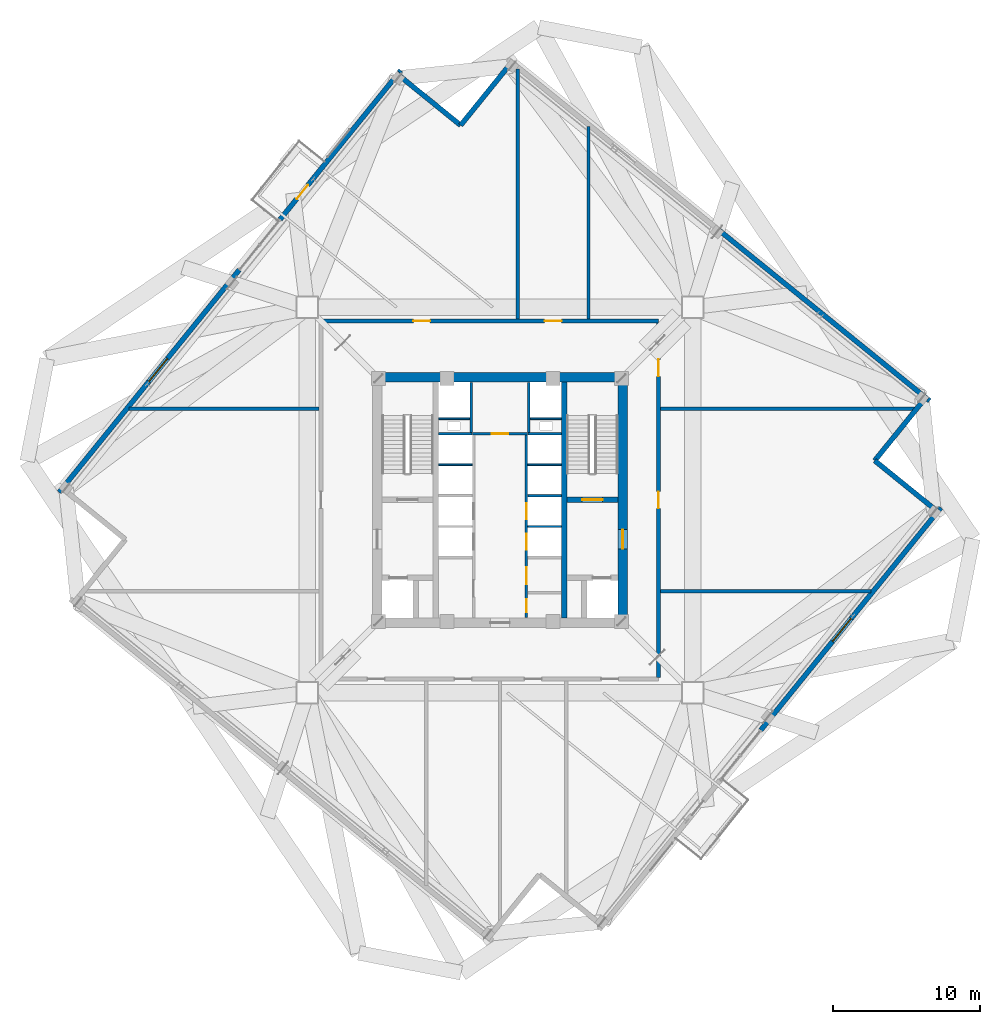
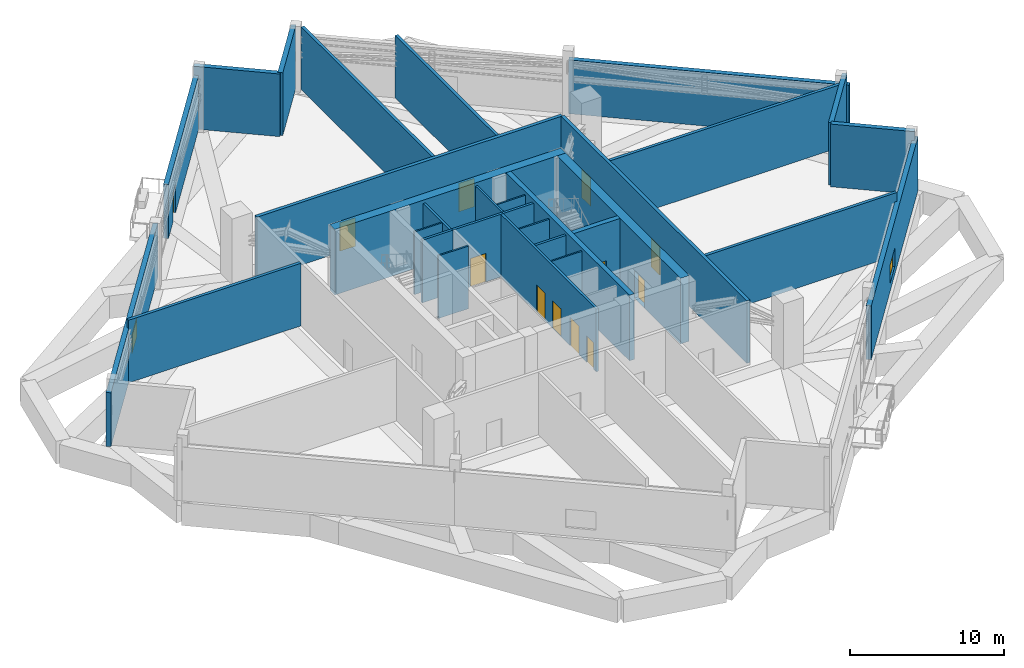
# One storey, part 18 of 22: 31 walls, 12 doors, 2 windows, 14 openings.
"""IFC4 building model written with IfcOpenShell, lengths in metres."""

from ifc_helpers import new_model, si_unit, direction, frame, frame_2d, origin, place, context, subcontext, project, spatial, rectangle, extrude, source, transform, mapped, material, layer, layer_set, type_object, element, fill, save


model = new_model("IFC4")

# Units and contexts
model_context = context("Model", 3, precision=1e-05, world=origin(), true_north=direction((0.0, 1.0)))
body_context = subcontext(model_context, "Body", "Model", "MODEL_VIEW")
ifc_project = project(units=[si_unit("LENGTHUNIT", "METRE"), si_unit("AREAUNIT", "SQUARE_METRE"), si_unit("VOLUMEUNIT", "CUBIC_METRE"), si_unit("PLANEANGLEUNIT", "RADIAN"), si_unit("MASSUNIT", "GRAM", prefix="KILO"), si_unit("THERMODYNAMICTEMPERATUREUNIT", "KELVIN")], contexts=[model_context])

# Site, building, storey
site_placement = place(None, origin())
site = spatial("IfcSite", under=ifc_project, at=site_placement, CompositionType="ELEMENT")
building_placement = place(site_placement, origin())
building = spatial("IfcBuilding", under=site, at=building_placement, Name="Kosmvard Interchange Tower", CompositionType="ELEMENT")
storey_placement = place(building_placement, frame((0.0, 0.0, 200.39990234375)))
storey = spatial("IfcBuildingStorey", under=building, at=storey_placement, Name="L48", CompositionType="ELEMENT", Elevation=200.39990234375)

# Walls
ifc_material_1 = material(Name="Fire-rated gypsum partition system")
ifc_layer_1 = layer(ifc_material_1, 0.159912109375, Name="Fire-rated gypsum partition system")
ifc_layer_set_1 = layer_set([ifc_layer_1], Name="Fire-rated gypsum partition system")
wall_type_1 = type_object("IfcWallType", Name="Core Compartment & Shuttle Lobby Partition 160", PredefinedType="PARTITIONING", material=ifc_layer_set_1)
for number, where, z_axis, x_axis, name in (
    (1, (-1.9599609375, 4.580078125, 0.0), (0.0, 0.0, 1.0), (0.0, 1.0, 0.0), "L48 North Core West Wall"),
    (2, (1.9599609375, 4.580078125, 0.0), (0.0, 0.0, 1.0), (0.0, 1.0, 0.0), "L48 North Core East Wall"),
):
    element("IfcWall", number, at=place(storey_placement, frame(where, z_axis=z_axis, x_axis=x_axis)), inside=storey, type_object=wall_type_1, Name=name, PredefinedType="PARTITIONING", context=body_context, shape_type="SweptSolid", body=[
        extrude(rectangle(XDim=3.39990234375, YDim=0.159912109375, at=frame_2d((1.699951171875, 0.0))), origin(), (0.0, 0.0, 1.0), 4.960205078125),
    ])

# Wall, openings, doors
ifc_layer_2 = layer(ifc_material_1, 0.179931640625, Name="Fire-rated gypsum partition system")
ifc_layer_set_2 = layer_set([ifc_layer_2], Name="Fire-rated gypsum partition system")
wall_type_2 = type_object("IfcWallType", Name="Corridor & Hotel Compartment Partition 180", PredefinedType="PARTITIONING", material=ifc_layer_set_2)
wall_1_placement = place(storey_placement, frame((1.7900390625, -7.97998046875, 0.0), z_axis=(0.0, 0.0, 1.0), x_axis=(0.0, 1.0, 0.0)))
wall_1 = element("IfcWall", 3, at=wall_1_placement, inside=storey, type_object=wall_type_2, Name="L48 East Lift Bank Front Wall", PredefinedType="PARTITIONING", context=body_context, shape_type="SweptSolid", body=[
    extrude(rectangle(XDim=12.3798828125, YDim=0.179931640625, at=frame_2d((6.18994140625, 0.0))), origin(), (0.0, 0.0, 1.0), 4.960205078125),
])
opening_1_placement = place(wall_1_placement, frame((4.60009765625, 0.0, 0.0)))
opening_1 = element("IfcOpeningElement", 4, at=opening_1_placement, cuts=wall_1, Name="Opening LD-PL-M3-L48", PredefinedType="OPENING", context=body_context, shape_type="SweptSolid", body=[
    extrude(rectangle(XDim=1.10009765625, YDim=2.199951171875, at=frame_2d((0.550048828125, 1.10009765625))), frame((0.0, 0.10009765625, 0.0), z_axis=(0.0, -1.0, 0.0), x_axis=(1.0, 0.0, 0.0)), (0.0, 0.0, 1.0), 0.199951171875),
])
opening_2_placement = place(wall_1_placement, frame((6.659912109375, 0.0, 0.0)))
opening_2 = element("IfcOpeningElement", 5, at=opening_2_placement, cuts=wall_1, Name="Opening LD-PL-M4-L48", PredefinedType="OPENING", context=body_context, shape_type="SweptSolid", body=[
    extrude(rectangle(XDim=1.10009765625, YDim=2.199951171875, at=frame_2d((0.550048828125, 1.10009765625))), frame((0.0, 0.10009765625, 0.0), z_axis=(0.0, -1.0, 0.0), x_axis=(1.0, 0.0, 0.0)), (0.0, 0.0, 1.0), 0.199951171875),
])
opening_3_placement = place(wall_1_placement, frame((0.35009765625, 0.0, 0.0)))
opening_3 = element("IfcOpeningElement", 6, at=opening_3_placement, cuts=wall_1, Name="Opening L48-CD2", PredefinedType="OPENING", context=body_context, shape_type="SweptSolid", body=[
    extrude(rectangle(XDim=0.8798828125, YDim=2.10009765625, at=frame_2d((0.43994140625, 1.050048828125))), frame((0.0, 0.10009765625, 0.0), z_axis=(0.0, -1.0, 0.0), x_axis=(1.0, 0.0, 0.0)), (0.0, 0.0, 1.0), 0.199951171875),
])
opening_4_placement = place(wall_1_placement, frame((2.25, 0.0, 0.0)))
opening_4 = element("IfcOpeningElement", 7, at=opening_4_placement, cuts=wall_1, Name="Opening L48-CD3", PredefinedType="OPENING", context=body_context, shape_type="SweptSolid", body=[
    extrude(rectangle(XDim=1.14990234375, YDim=2.25, at=frame_2d((0.574951171875, 1.125))), frame((0.0, 0.10009765625, 0.0), z_axis=(0.0, -1.0, 0.0), x_axis=(1.0, 0.0, 0.0)), (0.0, 0.0, 1.0), 0.199951171875),
])
ifc_material_2 = material(Name="Painted fire-rated steel leaf", Category="steel")
door_type_1 = type_object("IfcDoorType", Name="Plant & Riser Fire Door 1150x2250 EI60", OperationType="NOTDEFINED", PredefinedType="DOOR", material=ifc_material_2)
shared_shape_1 = source(origin(), body_context, "Body", "SweptSolid", [
    extrude(rectangle(XDim=1.14990234375, YDim=2.25, at=frame_2d((0.574951171875, 1.125))), frame((0.0, 0.02490234375, 0.0), z_axis=(0.0, -1.0, 0.0), x_axis=(1.0, 0.0, 0.0)), (0.0, 0.0, 1.0), 0.050048828125),
])
door_1_placement = place(opening_4_placement, frame((1.14990234375, 0.0, 0.0), z_axis=(0.0, 0.0, 1.0), x_axis=(-1.0, 0.0, 0.0)))
door_1 = element("IfcDoor", 8, at=door_1_placement, inside=storey, type_object=door_type_1, Name="L48 Core Pantry Door", OperationType="SINGLE_SWING_LEFT", OverallHeight=2.25, OverallWidth=1.14990234375, PredefinedType="DOOR", context=body_context, shape_type="MappedRepresentation", body=[
    mapped(shared_shape_1, transform((0.0, 0.0, 0.0), scale=1.0)),
])
fill(opening_4, door_1)
ifc_material_3 = material(Name="Brushed stainless steel sliding leaf", Category="steel")
door_type_2 = type_object("IfcDoorType", Name="Passenger Lift Sliding Landing Door 1100x2200 EI60", OperationType="DOUBLE_DOOR_SLIDING", PredefinedType="DOOR", material=ifc_material_3)
shared_shape_2 = source(origin(), body_context, "Body", "SweptSolid", [
    extrude(rectangle(XDim=1.10009765625, YDim=2.199951171875, at=frame_2d((0.550048828125, 1.10009765625))), frame((0.0, 0.02490234375, 0.0), z_axis=(0.0, -1.0, 0.0), x_axis=(1.0, 0.0, 0.0)), (0.0, 0.0, 1.0), 0.050048828125),
])
door_2_placement = place(opening_1_placement, origin())
door_2 = element("IfcDoor", 9, at=door_2_placement, inside=storey, type_object=door_type_2, Name="Lift PL-M3 Landing Door L48", OperationType="DOUBLE_DOOR_SLIDING", OverallHeight=2.199951171875, OverallWidth=1.10009765625, PredefinedType="DOOR", context=body_context, shape_type="MappedRepresentation", body=[
    mapped(shared_shape_2, transform((0.0, 0.0, 0.0), scale=1.0)),
])
fill(opening_1, door_2)
door_3_placement = place(opening_2_placement, origin())
door_3 = element("IfcDoor", 10, at=door_3_placement, inside=storey, type_object=door_type_2, Name="Lift PL-M4 Landing Door L48", OperationType="DOUBLE_DOOR_SLIDING", OverallHeight=2.199951171875, OverallWidth=1.10009765625, PredefinedType="DOOR", context=body_context, shape_type="MappedRepresentation", body=[
    mapped(shared_shape_2, transform((0.0, 0.0, 0.0), scale=1.0)),
])
fill(opening_2, door_3)
ifc_material_4 = material(Name="Painted fire-rated timber leaf", Category="wood")
door_type_3 = type_object("IfcDoorType", Name="Core Cupboard Fire Door 880x2100 EI30", OperationType="NOTDEFINED", PredefinedType="DOOR", material=ifc_material_4)
shared_shape_3 = source(origin(), body_context, "Body", "SweptSolid", [
    extrude(rectangle(XDim=0.8798828125, YDim=2.10009765625, at=frame_2d((0.43994140625, 1.050048828125))), frame((0.0, 0.02490234375, 0.0), z_axis=(0.0, -1.0, 0.0), x_axis=(1.0, 0.0, 0.0)), (0.0, 0.0, 1.0), 0.050048828125),
])
door_4_placement = place(opening_3_placement, frame((0.8798828125, 0.0, 0.0), z_axis=(0.0, 0.0, 1.0), x_axis=(-1.0, 0.0, 0.0)))
door_4 = element("IfcDoor", 11, at=door_4_placement, inside=storey, type_object=door_type_3, Name="L48 Core Cleaner Door", OperationType="SINGLE_SWING_RIGHT", OverallHeight=2.10009765625, OverallWidth=0.8798828125, PredefinedType="DOOR", context=body_context, shape_type="MappedRepresentation", body=[
    mapped(shared_shape_3, transform((0.0, 0.0, 0.0), scale=1.0)),
])
fill(opening_3, door_4)

# Wall, opening, door
wall_2_placement = place(storey_placement, frame((-1.8798828125, 4.489990234375, 0.0), z_axis=(0.0, 0.0, 1.0), x_axis=(1.0, 0.0, 0.0)))
wall_2 = element("IfcWall", 12, at=wall_2_placement, inside=storey, type_object=wall_type_2, Name="L48 Lift Lobby North Partition", PredefinedType="PARTITIONING", context=body_context, shape_type="SweptSolid", body=[
    extrude(rectangle(XDim=3.759765625, YDim=0.179931640625, at=frame_2d((1.8798828125, 0.0))), origin(), (0.0, 0.0, 1.0), 4.960205078125),
])
opening_5_placement = place(wall_2_placement, frame((1.304931640625, 0.0, 0.0)))
opening_5 = element("IfcOpeningElement", 13, at=opening_5_placement, cuts=wall_2, Name="Opening L48-KD1", PredefinedType="OPENING", context=body_context, shape_type="SweptSolid", body=[
    extrude(rectangle(XDim=1.14990234375, YDim=2.25, at=frame_2d((0.574951171875, 1.125))), frame((0.0, 0.10009765625, 0.0), z_axis=(0.0, -1.0, 0.0), x_axis=(1.0, 0.0, 0.0)), (0.0, 0.0, 1.0), 0.199951171875),
])
door_5_placement = place(opening_5_placement, origin())
door_5 = element("IfcDoor", 14, at=door_5_placement, inside=storey, type_object=door_type_1, Name="L48 Core IT Room Door", OperationType="SINGLE_SWING_LEFT", OverallHeight=2.25, OverallWidth=1.14990234375, PredefinedType="DOOR", context=body_context, shape_type="MappedRepresentation", body=[
    mapped(shared_shape_1, transform((0.0, 0.0, 0.0), scale=1.0)),
])
fill(opening_5, door_5)

# Wall, openings, doors
ifc_material_5 = material(Name="Concrete blockwork masonry", Category="masonry")
ifc_layer_3 = layer(ifc_material_5, 0.25, Name="Concrete blockwork masonry")
ifc_layer_set_3 = layer_set([ifc_layer_3], Name="Concrete blockwork masonry")
wall_type_3 = type_object("IfcWallType", Name="Exit Passage & Firefighting Lobby Wall 250", PredefinedType="PARTITIONING", material=ifc_layer_set_3)
wall_3_placement = place(storey_placement, frame((-12.14990234375, 12.14990234375, 0.0), z_axis=(0.0, 0.0, 1.0), x_axis=(1.0, 0.0, 0.0)))
wall_3 = element("IfcWall", 15, at=wall_3_placement, inside=storey, type_object=wall_type_3, Name="L48 Corridor Wall CN", PredefinedType="PARTITIONING", context=body_context, shape_type="SweptSolid", body=[
    extrude(rectangle(XDim=22.89990234375, YDim=0.25, at=frame_2d((11.449951171875, 0.0))), origin(), (0.0, 0.0, 1.0), 4.960205078125),
])
opening_6_placement = place(wall_3_placement, frame((6.264404296875, 0.0, 0.0)))
opening_6 = element("IfcOpeningElement", 16, at=opening_6_placement, cuts=wall_3, Name="Opening L48-D01", PredefinedType="OPENING", context=body_context, shape_type="SweptSolid", body=[
    extrude(rectangle(XDim=1.14990234375, YDim=2.25, at=frame_2d((0.574951171875, 1.125))), frame((0.0, 0.135009765625, 0.0), z_axis=(0.0, -1.0, 0.0), x_axis=(1.0, 0.0, 0.0)), (0.0, 0.0, 1.0), 0.27001953125),
])
opening_7_placement = place(wall_3_placement, frame((15.175048828125, 0.0, 0.0)))
opening_7 = element("IfcOpeningElement", 17, at=opening_7_placement, cuts=wall_3, Name="Opening L48-D02", PredefinedType="OPENING", context=body_context, shape_type="SweptSolid", body=[
    extrude(rectangle(XDim=1.14990234375, YDim=2.25, at=frame_2d((0.574951171875, 1.125))), frame((0.0, 0.135009765625, 0.0), z_axis=(0.0, -1.0, 0.0), x_axis=(1.0, 0.0, 0.0)), (0.0, 0.0, 1.0), 0.27001953125),
])
door_6_placement = place(opening_6_placement, origin())
door_6 = element("IfcDoor", 18, at=door_6_placement, inside=storey, type_object=door_type_1, Name="L48 Forward Fire Safety Station Door", OperationType="SINGLE_SWING_LEFT", OverallHeight=2.25, OverallWidth=1.14990234375, PredefinedType="DOOR", context=body_context, shape_type="MappedRepresentation", body=[
    mapped(shared_shape_1, transform((0.0, 0.0, 0.0), scale=1.0)),
])
fill(opening_6, door_6)
door_7_placement = place(opening_7_placement, origin())
door_7 = element("IfcDoor", 19, at=door_7_placement, inside=storey, type_object=door_type_1, Name="L48 Hydronic Pressure-Break Plant Room Door", OperationType="SINGLE_SWING_RIGHT", OverallHeight=2.25, OverallWidth=1.14990234375, PredefinedType="DOOR", context=body_context, shape_type="MappedRepresentation", body=[
    mapped(shared_shape_1, transform((0.0, 0.0, 0.0), scale=1.0)),
])
fill(opening_7, door_7)

wall_4_placement = place(storey_placement, frame((10.75, -12.050048828125, 0.0), z_axis=(0.0, 0.0, 1.0), x_axis=(0.0, 1.0, 0.0)))
wall_4 = element("IfcWall", 20, at=wall_4_placement, inside=storey, type_object=wall_type_3, Name="L48 Corridor Wall CE", PredefinedType="PARTITIONING", context=body_context, shape_type="SweptSolid", body=[
    extrude(rectangle(XDim=24.10009765625, YDim=0.25, at=frame_2d((12.050048828125, 0.0))), origin(), (0.0, 0.0, 1.0), 4.960205078125),
])
opening_8_placement = place(wall_4_placement, frame((20.435546875, 0.0, 0.0)))
opening_8 = element("IfcOpeningElement", 21, at=opening_8_placement, cuts=wall_4, Name="Opening L48-D03", PredefinedType="OPENING", context=body_context, shape_type="SweptSolid", body=[
    extrude(rectangle(XDim=1.14990234375, YDim=2.25, at=frame_2d((0.574951171875, 1.125))), frame((0.0, 0.135009765625, 0.0), z_axis=(0.0, -1.0, 0.0), x_axis=(1.0, 0.0, 0.0)), (0.0, 0.0, 1.0), 0.27001953125),
])
opening_9_placement = place(wall_4_placement, frame((11.47509765625, 0.0, 0.0)))
opening_9 = element("IfcOpeningElement", 22, at=opening_9_placement, cuts=wall_4, Name="Opening L48-D04", PredefinedType="OPENING", context=body_context, shape_type="SweptSolid", body=[
    extrude(rectangle(XDim=1.14990234375, YDim=2.25, at=frame_2d((0.574951171875, 1.125))), frame((0.0, 0.135009765625, 0.0), z_axis=(0.0, -1.0, 0.0), x_axis=(1.0, 0.0, 0.0)), (0.0, 0.0, 1.0), 0.27001953125),
])
door_8_placement = place(opening_8_placement, frame((1.14990234375, 0.0, 0.0), z_axis=(0.0, 0.0, 1.0), x_axis=(-1.0, 0.0, 0.0)))
door_8 = element("IfcDoor", 23, at=door_8_placement, inside=storey, type_object=door_type_1, Name="L48 High-Zone Chiller Exchange Plant Room Door", OperationType="SINGLE_SWING_LEFT", OverallHeight=2.25, OverallWidth=1.14990234375, PredefinedType="DOOR", context=body_context, shape_type="MappedRepresentation", body=[
    mapped(shared_shape_1, transform((0.0, 0.0, 0.0), scale=1.0)),
])
fill(opening_8, door_8)
door_9_placement = place(opening_9_placement, frame((1.14990234375, 0.0, 0.0), z_axis=(0.0, 0.0, 1.0), x_axis=(-1.0, 0.0, 0.0)))
door_9 = element("IfcDoor", 24, at=door_9_placement, inside=storey, type_object=door_type_1, Name="L48 Refuge Area East Door", OperationType="SINGLE_SWING_RIGHT", OverallHeight=2.25, OverallWidth=1.14990234375, PredefinedType="DOOR", context=body_context, shape_type="MappedRepresentation", body=[
    mapped(shared_shape_1, transform((0.0, 0.0, 0.0), scale=1.0)),
])
fill(opening_9, door_9)

# Wall
ifc_material_6 = material(Name="Concrete C70/85", Category="concrete")
ifc_layer_4 = layer(ifc_material_6, 0.64990234375, Name="Concrete C70/85")
ifc_layer_set_4 = layer_set([ifc_layer_4], Name="Concrete C70/85")
wall_type_4 = type_object("IfcWallType", Name="Mid Core Shear Wall 650 C70/85", PredefinedType="SHEAR", material=ifc_layer_set_4)
wall_5_placement = place(storey_placement, frame((-8.64990234375, 8.324951171875, 0.0), z_axis=(0.0, 0.0, 1.0), x_axis=(1.0, 0.0, 0.0)))
element("IfcWall", 25, at=wall_5_placement, inside=storey, type_object=wall_type_4, Name="L48 Core Shear Wall CW-N", PredefinedType="SHEAR", context=body_context, shape_type="SweptSolid", body=[
    extrude(rectangle(XDim=17.2998046875, YDim=0.64990234375, at=frame_2d((8.64990234375, 0.0))), origin(), (0.0, 0.0, 1.0), 5.2001953125),
])

# Wall, opening, door
wall_6_placement = place(storey_placement, frame((8.324951171875, -8.0, 0.0), z_axis=(0.0, 0.0, 1.0), x_axis=(0.0, 1.0, 0.0)))
wall_6 = element("IfcWall", 26, at=wall_6_placement, inside=storey, type_object=wall_type_4, Name="L48 Core Shear Wall CW-E", PredefinedType="SHEAR", context=body_context, shape_type="SweptSolid", body=[
    extrude(rectangle(XDim=16.0, YDim=0.64990234375, at=frame_2d((8.0, 0.0))), origin(), (0.0, 0.0, 1.0), 5.2001953125),
])
opening_10_placement = place(wall_6_placement, frame((4.68994140625, 0.0, 0.0)))
opening_10 = element("IfcOpeningElement", 27, at=opening_10_placement, cuts=wall_6, Name="Opening L48-FD2", PredefinedType="OPENING", context=body_context, shape_type="SweptSolid", body=[
    extrude(rectangle(XDim=1.300048828125, YDim=2.199951171875, at=frame_2d((0.64990234375, 1.10009765625))), frame((0.0, 0.3349609375, 0.0), z_axis=(0.0, -1.0, 0.0), x_axis=(1.0, 0.0, 0.0)), (0.0, 0.0, 1.0), 0.669921875),
])
door_type_4 = type_object("IfcDoorType", Name="Firefighting Lobby Door 1300x2200 EI60", OperationType="NOTDEFINED", PredefinedType="DOOR", material=ifc_material_2)
shared_shape_4 = source(origin(), body_context, "Body", "SweptSolid", [
    extrude(rectangle(XDim=1.300048828125, YDim=2.199951171875, at=frame_2d((0.64990234375, 1.10009765625))), frame((0.0, 0.02490234375, 0.0), z_axis=(0.0, -1.0, 0.0), x_axis=(1.0, 0.0, 0.0)), (0.0, 0.0, 1.0), 0.050048828125),
])
door_10_placement = place(opening_10_placement, origin())
door_10 = element("IfcDoor", 28, at=door_10_placement, inside=storey, type_object=door_type_4, Name="L48 Firefighting Lobby East Door", OperationType="SINGLE_SWING_RIGHT", OverallHeight=2.199951171875, OverallWidth=1.300048828125, PredefinedType="DOOR", context=body_context, shape_type="MappedRepresentation", body=[
    mapped(shared_shape_4, transform((0.0, 0.0, 0.0), scale=1.0)),
])
fill(opening_10, door_10)

# Walls
ifc_material_7 = material(Name="Precast concrete C45/55", Category="concrete")
ifc_layer_5 = layer(ifc_material_7, 0.340087890625, Name="Precast concrete C45/55")
ifc_layer_set_5 = layer_set([ifc_layer_5], Name="Precast concrete C45/55")
wall_type_5 = type_object("IfcWallType", Name="Mid Tower Precast Pier Wall 340 C45/55", PredefinedType="STANDARD", material=ifc_layer_set_5)
wall_7_placement = place(storey_placement, frame((29.703125, -0.78857421875, 0.0), z_axis=(0.0, 0.0, 1.0), x_axis=(-0.77714355312, 0.629323365087, 0.0)))
element("IfcWall", 29, at=wall_7_placement, inside=storey, type_object=wall_type_5, Name="L48 Corner Precast Pier N-SE1", PredefinedType="STANDARD", context=body_context, shape_type="SweptSolid", body=[
    extrude(rectangle(XDim=5.499755859375, YDim=0.340087890625, at=frame_2d((2.75, 0.0))), origin(), (0.0, 0.0, 1.0), 4.960205078125),
])
wall_8_placement = place(storey_placement, frame((25.428955078125, 2.672607421875, 0.0), z_axis=(0.0, 0.0, 1.0), x_axis=(0.629299794138, 0.777162640055, 0.0)))
element("IfcWall", 30, at=wall_8_placement, inside=storey, type_object=wall_type_5, Name="L48 Corner Precast Pier N-SE2", PredefinedType="STANDARD", context=body_context, shape_type="SweptSolid", body=[
    extrude(rectangle(XDim=5.669921875, YDim=0.340087890625, at=frame_2d((2.8349609375, 0.0))), origin(), (0.0, 0.0, 1.0), 4.960205078125),
])
wall_9_placement = place(storey_placement, frame((0.78857421875, 29.703125, 0.0), z_axis=(0.0, 0.0, 1.0), x_axis=(-0.629323365087, -0.77714355312, 0.0)))
element("IfcWall", 31, at=wall_9_placement, inside=storey, type_object=wall_type_5, Name="L48 Corner Precast Pier N-NE1", PredefinedType="STANDARD", context=body_context, shape_type="SweptSolid", body=[
    extrude(rectangle(XDim=5.499755859375, YDim=0.340087890625, at=frame_2d((2.75, 0.0))), origin(), (0.0, 0.0, 1.0), 4.960205078125),
])
wall_10_placement = place(storey_placement, frame((-2.672607421875, 25.428955078125, 0.0), z_axis=(0.0, 0.0, 1.0), x_axis=(-0.777162640055, 0.629299794138, 0.0)))
element("IfcWall", 32, at=wall_10_placement, inside=storey, type_object=wall_type_5, Name="L48 Corner Precast Pier N-NE2", PredefinedType="STANDARD", context=body_context, shape_type="SweptSolid", body=[
    extrude(rectangle(XDim=5.669921875, YDim=0.340087890625, at=frame_2d((2.8349609375, 0.0))), origin(), (0.0, 0.0, 1.0), 4.960205078125),
])

# Wall, opening, window
wall_11_placement = place(storey_placement, frame((17.69580078125, -15.616455078125, 0.0), z_axis=(0.0, 0.0, 1.0), x_axis=(0.629324798011, 0.777142392749, 0.0)))
wall_11 = element("IfcWall", 33, at=wall_11_placement, inside=storey, type_object=wall_type_5, Name="L48 Facade Pier Wall SB", PredefinedType="STANDARD", context=body_context, shape_type="SweptSolid", body=[
    extrude(rectangle(XDim=19.419921875, YDim=0.340087890625, at=frame_2d((9.7099609375, 0.0))), origin(), (0.0, 0.0, 1.0), 4.260009765625),
])
opening_11_placement = place(wall_11_placement, frame((7.739013671875, 0.0, 0.64990234375)))
opening_11 = element("IfcOpeningElement", 34, at=opening_11_placement, cuts=wall_11, Name="Opening L48-WSB", PredefinedType="OPENING", context=body_context, shape_type="SweptSolid", body=[
    extrude(rectangle(XDim=2.0, YDim=1.449951171875, at=frame_2d((1.0, 0.72509765625))), frame((0.0, 0.18017578125, 0.0), z_axis=(0.0, -1.0, 0.0), x_axis=(1.0, 0.0, 0.0)), (0.0, 0.0, 1.0), 0.360107421875),
])
ifc_material_8 = material(Name="Low-E solar-control double glazing", Category="glass")
window_type = type_object("IfcWindowType", Name="Transfer Zone Punched Window 2000x1450", PartitioningType="SINGLE_PANEL", PredefinedType="WINDOW", material=ifc_material_8)
shared_shape_5 = source(origin(), body_context, "Body", "SweptSolid", [
    extrude(rectangle(XDim=2.0, YDim=1.449951171875, at=frame_2d((1.0, 0.72509765625))), frame((0.0, 0.030029296875, 0.0), z_axis=(0.0, -1.0, 0.0), x_axis=(1.0, 0.0, 0.0)), (0.0, 0.0, 1.0), 0.06005859375),
])
window_1_placement = place(opening_11_placement, origin())
window_1 = element("IfcWindow", 35, at=window_1_placement, inside=storey, type_object=window_type, Name="L48 Facade Punched Window SB", OverallHeight=1.449951171875, OverallWidth=2.0, PartitioningType="SINGLE_PANEL", PredefinedType="WINDOW", context=body_context, shape_type="MappedRepresentation", body=[
    mapped(shared_shape_5, transform((0.0, 0.0, 0.0), scale=1.0)),
])
fill(opening_11, window_1)

# Wall
wall_12_placement = place(storey_placement, frame((29.154296875, 6.73291015625, 0.0), z_axis=(0.0, 0.0, 1.0), x_axis=(-0.777138681893, 0.629329380456, 0.0)))
element("IfcWall", 36, at=wall_12_placement, inside=storey, type_object=wall_type_5, Name="L48 Facade Pier Wall EA", PredefinedType="STANDARD", context=body_context, shape_type="SweptSolid", body=[
    extrude(rectangle(XDim=18.420166015625, YDim=0.340087890625, at=frame_2d((9.2099609375, 0.0))), origin(), (0.0, 0.0, 1.0), 4.260009765625),
])

# Wall, opening, door
wall_13_placement = place(storey_placement, frame((-6.73291015625, 29.154296875, 0.0), z_axis=(0.0, 0.0, 1.0), x_axis=(-0.629326061894, -0.777141369263, 0.0)))
wall_13 = element("IfcWall", 37, at=wall_13_placement, inside=storey, type_object=wall_type_5, Name="L48 Facade Pier Wall NA", PredefinedType="STANDARD", context=body_context, shape_type="SweptSolid", body=[
    extrude(rectangle(XDim=13.02001953125, YDim=0.340087890625, at=frame_2d((6.510009765625, 0.0))), origin(), (0.0, 0.0, 1.0), 4.260009765625),
])
opening_12_placement = place(wall_13_placement, frame((10.02001953125, 0.0, 0.0)))
opening_12 = element("IfcOpeningElement", 38, at=opening_12_placement, cuts=wall_13, Name="Opening L48-TDN", PredefinedType="OPENING", context=body_context, shape_type="SweptSolid", body=[
    extrude(rectangle(XDim=1.199951171875, YDim=2.300048828125, at=frame_2d((0.60009765625, 1.14990234375))), frame((0.0, 0.18017578125, 0.0), z_axis=(0.0, -1.0, 0.0), x_axis=(1.0, 0.0, 0.0)), (0.0, 0.0, 1.0), 0.360107421875),
])
ifc_material_9 = material(Name="Anodised aluminium and safety glass", Category="aluminium")
door_type_5 = type_object("IfcDoorType", Name="Cascade Terrace Glazed Door 1200x2300", OperationType="NOTDEFINED", PredefinedType="DOOR", material=ifc_material_9)
shared_shape_6 = source(origin(), body_context, "Body", "SweptSolid", [
    extrude(rectangle(XDim=1.199951171875, YDim=2.300048828125, at=frame_2d((0.60009765625, 1.14990234375))), frame((0.0, 0.02490234375, 0.0), z_axis=(0.0, -1.0, 0.0), x_axis=(1.0, 0.0, 0.0)), (0.0, 0.0, 1.0), 0.050048828125),
])
door_11_placement = place(opening_12_placement, origin())
door_11 = element("IfcDoor", 39, at=door_11_placement, inside=storey, type_object=door_type_5, Name="L48 Terrace Access Door SKG-L48-N", OperationType="SINGLE_SWING_LEFT", OverallHeight=2.300048828125, OverallWidth=1.199951171875, PredefinedType="DOOR", context=body_context, shape_type="MappedRepresentation", body=[
    mapped(shared_shape_6, transform((0.0, 0.0, 0.0), scale=1.0)),
])
fill(opening_12, door_11)

# Wall, opening, window
wall_14_placement = place(storey_placement, frame((-17.69580078125, 15.616455078125, 0.0), z_axis=(0.0, 0.0, 1.0), x_axis=(-0.629324798011, -0.777142392749, 0.0)))
wall_14 = element("IfcWall", 40, at=wall_14_placement, inside=storey, type_object=wall_type_5, Name="L48 Facade Pier Wall NB", PredefinedType="STANDARD", context=body_context, shape_type="SweptSolid", body=[
    extrude(rectangle(XDim=19.419921875, YDim=0.340087890625, at=frame_2d((9.7099609375, 0.0))), origin(), (0.0, 0.0, 1.0), 4.260009765625),
])
opening_13_placement = place(wall_14_placement, frame((7.739013671875, 0.0, 0.64990234375)))
opening_13 = element("IfcOpeningElement", 41, at=opening_13_placement, cuts=wall_14, Name="Opening L48-WNB", PredefinedType="OPENING", context=body_context, shape_type="SweptSolid", body=[
    extrude(rectangle(XDim=2.0, YDim=1.449951171875, at=frame_2d((1.0, 0.72509765625))), frame((0.0, 0.18017578125, 0.0), z_axis=(0.0, -1.0, 0.0), x_axis=(1.0, 0.0, 0.0)), (0.0, 0.0, 1.0), 0.360107421875),
])
window_2_placement = place(opening_13_placement, origin())
window_2 = element("IfcWindow", 42, at=window_2_placement, inside=storey, type_object=window_type, Name="L48 Facade Punched Window NB", OverallHeight=1.449951171875, OverallWidth=2.0, PartitioningType="SINGLE_PANEL", PredefinedType="WINDOW", context=body_context, shape_type="MappedRepresentation", body=[
    mapped(shared_shape_5, transform((0.0, 0.0, 0.0), scale=1.0)),
])
fill(opening_13, window_2)

# Walls
ifc_layer_6 = layer(ifc_material_5, 0.179931640625, Name="Concrete blockwork masonry")
ifc_layer_set_6 = layer_set([ifc_layer_6], Name="Concrete blockwork masonry")
wall_type_6 = type_object("IfcWallType", Name="Riser & Lift Bank Divider Wall 180", PredefinedType="PARTITIONING", material=ifc_layer_set_6)
for number, where, z_axis, x_axis, name in (
    (43, (1.889892578125, 0.300048828125, 0.0), (0.0, 0.0, 1.0), (1.0, 0.0, 0.0), "L48 East Bank Divider BD2"),
    (44, (-4.169921875, 4.489990234375, 0.0), (0.0, 0.0, 1.0), (1.0, 0.0, 0.0), "L48 West Bank Divider BD3"),
    (45, (1.889892578125, 4.489990234375, 0.0), (0.0, 0.0, 1.0), (1.0, 0.0, 0.0), "L48 East Bank Divider BD3"),
):
    element("IfcWall", number, at=place(storey_placement, frame(where, z_axis=z_axis, x_axis=x_axis)), inside=storey, type_object=wall_type_6, Name=name, PredefinedType="PARTITIONING", context=body_context, shape_type="SweptSolid", body=[
        extrude(rectangle(XDim=2.280029296875, YDim=0.179931640625, at=frame_2d((1.14013671875, 0.0))), origin(), (0.0, 0.0, 1.0), 4.960205078125),
    ])
ifc_layer_7 = layer(ifc_material_5, 0.219970703125, Name="Concrete blockwork masonry")
ifc_layer_set_7 = layer_set([ifc_layer_7], Name="Concrete blockwork masonry")
wall_type_7 = type_object("IfcWallType", Name="Riser & Plant Enclosure Wall 220", PredefinedType="PARTITIONING", material=ifc_layer_set_7)
wall_15_placement = place(storey_placement, frame((1.199951171875, 12.280029296875, 0.0), z_axis=(0.0, 0.0, 1.0), x_axis=(0.0, 1.0, 0.0)))
element("IfcWall", 46, at=wall_15_placement, inside=storey, type_object=wall_type_7, Name="L48 Room Partition 01.1", PredefinedType="PARTITIONING", context=body_context, shape_type="SweptSolid", body=[
    extrude(rectangle(XDim=16.954833984375, YDim=0.219970703125, at=frame_2d((8.4775390625, 0.0))), origin(), (0.0, 0.0, 1.0), 4.960205078125),
])
wall_16_placement = place(storey_placement, frame((6.0, 12.280029296875, 0.0), z_axis=(0.0, 0.0, 1.0), x_axis=(0.0, 1.0, 0.0)))
element("IfcWall", 47, at=wall_16_placement, inside=storey, type_object=wall_type_7, Name="L48 Room Partition 02.1", PredefinedType="PARTITIONING", context=body_context, shape_type="SweptSolid", body=[
    extrude(rectangle(XDim=13.06787109375, YDim=0.219970703125, at=frame_2d((6.533935546875, 0.0))), origin(), (0.0, 0.0, 1.0), 4.960205078125),
])
wall_17_placement = place(storey_placement, frame((10.8798828125, 6.199951171875, 0.0), z_axis=(0.0, 0.0, 1.0), x_axis=(1.0, 0.0, 0.0)))
element("IfcWall", 48, at=wall_17_placement, inside=storey, type_object=wall_type_7, Name="L48 Room Partition 03.1", PredefinedType="PARTITIONING", context=body_context, shape_type="SweptSolid", body=[
    extrude(rectangle(XDim=17.270263671875, YDim=0.219970703125, at=frame_2d((8.63525390625, 0.0))), origin(), (0.0, 0.0, 1.0), 4.960205078125),
])
wall_18_placement = place(storey_placement, frame((10.8798828125, -6.199951171875, 0.0), z_axis=(0.0, 0.0, 1.0), x_axis=(1.0, 0.0, 0.0)))
element("IfcWall", 49, at=wall_18_placement, inside=storey, type_object=wall_type_7, Name="L48 Room Partition 04.1", PredefinedType="PARTITIONING", context=body_context, shape_type="SweptSolid", body=[
    extrude(rectangle(XDim=14.30615234375, YDim=0.219970703125, at=frame_2d((7.153076171875, 0.0))), origin(), (0.0, 0.0, 1.0), 4.960205078125),
])
wall_19_placement = place(storey_placement, frame((-12.280029296875, 6.199951171875, 0.0), z_axis=(0.0, 0.0, 1.0), x_axis=(-1.0, 0.0, 0.0)))
element("IfcWall", 50, at=wall_19_placement, inside=storey, type_object=wall_type_7, Name="L48 Room Partition 09.1", PredefinedType="PARTITIONING", context=body_context, shape_type="SweptSolid", body=[
    extrude(rectangle(XDim=12.906005859375, YDim=0.219970703125, at=frame_2d((6.453125, 0.0))), origin(), (0.0, 0.0, 1.0), 4.960205078125),
])
ifc_material_10 = material(Name="Fire-rated gypsum shaftwall system")
ifc_layer_8 = layer(ifc_material_10, 0.1201171875, Name="Fire-rated gypsum shaftwall system")
ifc_layer_set_8 = layer_set([ifc_layer_8], Name="Fire-rated gypsum shaftwall system")
wall_type_8 = type_object("IfcWallType", Name="Shaft & Riser Fire Partition 120 EI60", PredefinedType="PARTITIONING", material=ifc_layer_set_8)
for number, where, z_axis, x_axis, name in (
    (51, (1.89990234375, -1.800048828125, 0.0), (0.0, 0.0, 1.0), (1.0, 0.0, 0.0), "L48 Shaft Divider PL-M3"),
    (52, (-4.159912109375, 2.39990234375, 0.0), (0.0, 0.0, 1.0), (1.0, 0.0, 0.0), "L48 Shaft Divider PL-H1"),
    (53, (1.89990234375, 2.39990234375, 0.0), (0.0, 0.0, 1.0), (1.0, 0.0, 0.0), "L48 Shaft Divider PL-H3"),
):
    element("IfcWall", number, at=place(storey_placement, frame(where, z_axis=z_axis, x_axis=x_axis)), inside=storey, type_object=wall_type_8, Name=name, PredefinedType="PARTITIONING", context=body_context, shape_type="SweptSolid", body=[
        extrude(rectangle(XDim=2.260009765625, YDim=0.1201171875, at=frame_2d((1.1298828125, 0.0))), origin(), (0.0, 0.0, 1.0), 4.960205078125),
    ])
for number, where, z_axis, x_axis, name in (
    (54, (-4.159912109375, 5.52001953125, 0.0), (0.0, 0.0, 1.0), (1.0, 0.0, 0.0), "L48 Riser Shaft Divider W"),
    (55, (2.06005859375, 5.52001953125, 0.0), (0.0, 0.0, 1.0), (1.0, 0.0, 0.0), "L48 Riser Shaft Divider E"),
):
    element("IfcWall", number, at=place(storey_placement, frame(where, z_axis=z_axis, x_axis=x_axis)), inside=storey, type_object=wall_type_8, Name=name, PredefinedType="PARTITIONING", context=body_context, shape_type="SweptSolid", body=[
        extrude(rectangle(XDim=2.099853515625, YDim=0.1201171875, at=frame_2d((1.0498046875, 0.0))), origin(), (0.0, 0.0, 1.0), 4.960205078125),
    ])
ifc_material_11 = material(Name="Concrete C60/75", Category="concrete")
ifc_layer_9 = layer(ifc_material_11, 0.360107421875, Name="Concrete C60/75")
ifc_layer_set_9 = layer_set([ifc_layer_9], Name="Concrete C60/75")
wall_type_9 = type_object("IfcWallType", Name="Stair & Lift Shaft Shear Wall 360 C60/75", PredefinedType="SHEAR", material=ifc_layer_set_9)
wall_20_placement = place(storey_placement, frame((4.360107421875, -8.0, 0.0), z_axis=(0.0, 0.0, 1.0), x_axis=(0.0, 1.0, 0.0)))
element("IfcWall", 56, at=wall_20_placement, inside=storey, type_object=wall_type_9, Name="L48 Shaft Shear Wall SW-E", PredefinedType="SHEAR", context=body_context, shape_type="SweptSolid", body=[
    extrude(rectangle(XDim=16.0, YDim=0.360107421875, at=frame_2d((8.0, 0.0))), origin(), (0.0, 0.0, 1.0), 5.2001953125),
])

# Wall, opening, door
wall_21_placement = place(storey_placement, frame((4.5400390625, 0.02001953125, 0.0), z_axis=(0.0, 0.0, 1.0), x_axis=(1.0, 0.0, 0.0)))
wall_21 = element("IfcWall", 57, at=wall_21_placement, inside=storey, type_object=wall_type_9, Name="L48 Shaft Shear Wall SW-ST2", PredefinedType="SHEAR", context=body_context, shape_type="SweptSolid", body=[
    extrude(rectangle(XDim=3.4599609375, YDim=0.360107421875, at=frame_2d((1.72998046875, 0.0))), origin(), (0.0, 0.0, 1.0), 5.2001953125),
])
opening_14_placement = place(wall_21_placement, frame((1.030029296875, 0.0, 0.0)))
opening_14 = element("IfcOpeningElement", 58, at=opening_14_placement, cuts=wall_21, Name="Opening L48-SD2", PredefinedType="OPENING", context=body_context, shape_type="SweptSolid", body=[
    extrude(rectangle(XDim=1.39990234375, YDim=2.199951171875, at=frame_2d((0.699951171875, 1.10009765625))), frame((0.0, 0.18994140625, 0.0), z_axis=(0.0, -1.0, 0.0), x_axis=(1.0, 0.0, 0.0)), (0.0, 0.0, 1.0), 0.380126953125),
])
door_type_6 = type_object("IfcDoorType", Name="Protected Stair Door 1400x2200 FD60S", OperationType="NOTDEFINED", PredefinedType="DOOR", material=ifc_material_2)
shared_shape_7 = source(origin(), body_context, "Body", "SweptSolid", [
    extrude(rectangle(XDim=1.39990234375, YDim=2.199951171875, at=frame_2d((0.699951171875, 1.10009765625))), frame((0.0, 0.02490234375, 0.0), z_axis=(0.0, -1.0, 0.0), x_axis=(1.0, 0.0, 0.0)), (0.0, 0.0, 1.0), 0.050048828125),
])
door_12_placement = place(opening_14_placement, origin())
door_12 = element("IfcDoor", 59, at=door_12_placement, inside=storey, type_object=door_type_6, Name="L48 Stair ST-2 Enclosure Door", OperationType="SINGLE_SWING_RIGHT", OverallHeight=2.199951171875, OverallWidth=1.39990234375, PredefinedType="DOOR", context=body_context, shape_type="MappedRepresentation", body=[
    mapped(shared_shape_7, transform((0.0, 0.0, 0.0), scale=1.0)),
])
fill(opening_14, door_12)

save(model, "model.ifc")
